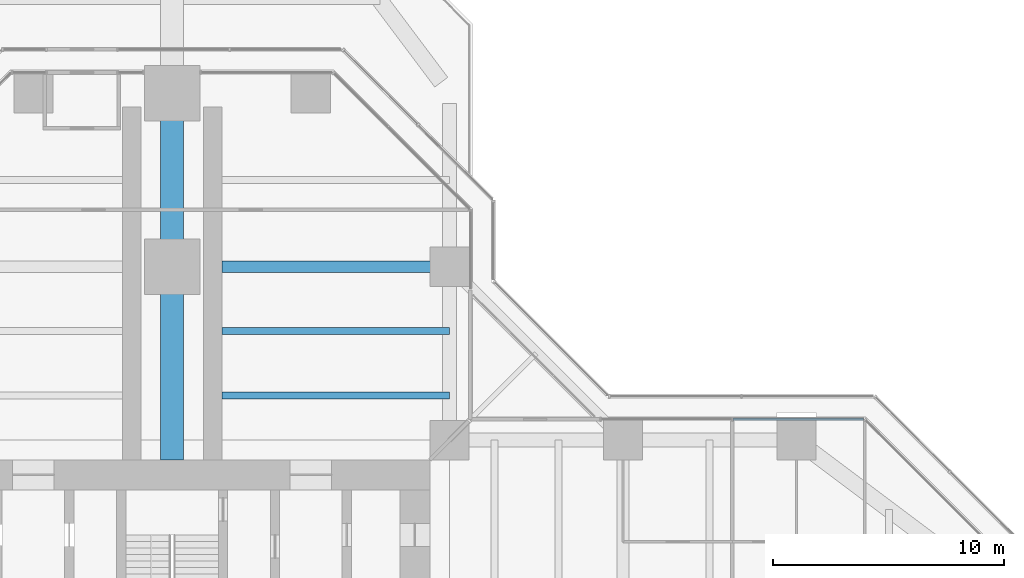
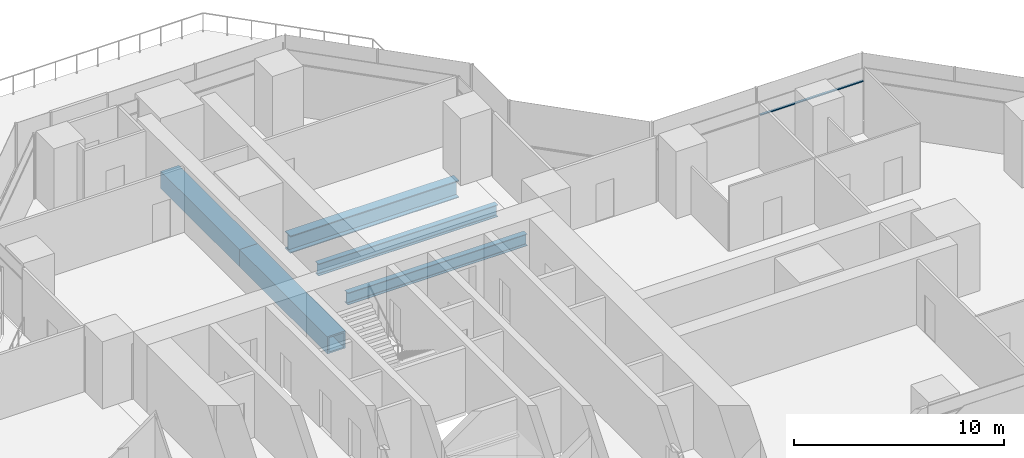
# One storey, part 10 of 21: 5 beams, 1 member, 1 element without a shape of its own.
"""IFC4 building model written with IfcOpenShell, lengths in metres."""

import ifcopenshell
import ifcopenshell.guid

model = None  # the IFC model being written
_history = None  # IfcOwnerHistory: only IFC2X3 demands one
_inside = {}  # id of a spatial element -> (the spatial element, [elements in it])
_under = {}  # id of a project, library or spatial element -> (it, [spatial elements below it])
_declared = {}  # id of a project -> (the project, [libraries it declares])
_typed = {}  # id of a type object -> (the type object, [elements of that type])
_made_of = {}  # id of a material, layer set ... -> (it, [elements and type objects made of it])


def new_model(schema):
    """Start an empty IFC model of exactly this schema.

    Asked for "IFC4X3", IfcOpenShell would pick the latest addendum, in which some entities
    have other attributes; the version numbers below select the first issue.
    IFC2X3 requires an IfcOwnerHistory on every rooted entity: one is made here for all.
    """
    global model, _history
    if schema == "IFC4X3":
        model = ifcopenshell.file(schema_version=(4, 3, 0, 0))
    else:
        model = ifcopenshell.file(schema=schema)
    _inside.clear()
    _under.clear()
    _declared.clear()
    _typed.clear()
    _made_of.clear()
    _history = None
    if model.schema == "IFC2X3":
        org = make("IfcOrganization", Name="unknown")
        user = make(
            "IfcPersonAndOrganization",
            ThePerson=make("IfcPerson", FamilyName="unknown"),
            TheOrganization=org,
        )
        app = make(
            "IfcApplication",
            ApplicationDeveloper=org,
            Version="unknown",
            ApplicationFullName="unknown",
            ApplicationIdentifier="unknown",
        )
        _history = make(
            "IfcOwnerHistory",
            OwningUser=user,
            OwningApplication=app,
            ChangeAction="ADDED",
            CreationDate=0,
        )
    return model


def make(cls, **values):
    """One entity of the class cls with the attributes given. An attribute that is None is left unset."""
    return model.create_entity(
        cls, **{name: value for name, value in values.items() if value is not None}
    )


def rooted(cls, **values):
    """An entity with a GlobalId (a new one), such as an element, a storey or a relation."""
    return make(cls, GlobalId=ifcopenshell.guid.new(), OwnerHistory=_history, **values)


def si_unit(unit_type, name, prefix=None):
    """IfcSIUnit, for example si_unit("LENGTHUNIT", "METRE", prefix="MILLI")."""
    return make("IfcSIUnit", UnitType=unit_type, Prefix=prefix, Name=name)


def assignment(units):
    """IfcUnitAssignment: the units of a project."""
    return None if units is None else make("IfcUnitAssignment", Units=units)


def point(xyz):
    """IfcCartesianPoint."""
    return None if xyz is None else make("IfcCartesianPoint", Coordinates=xyz)


def direction(xyz):
    """IfcDirection."""
    return None if xyz is None else make("IfcDirection", DirectionRatios=xyz)


def frame(location, z_axis=None, x_axis=None):
    """IfcAxis2Placement3D, a coordinate frame: its origin and axes. An axis left out is left unset."""
    return make(
        "IfcAxis2Placement3D",
        Location=point(location),
        Axis=direction(z_axis),
        RefDirection=direction(x_axis),
    )


def frame_2d(location, x_axis=None):
    """IfcAxis2Placement2D, a coordinate frame in the plane: its origin and x axis."""
    return make(
        "IfcAxis2Placement2D", Location=point(location), RefDirection=direction(x_axis)
    )


def origin():
    """The frame at (0, 0, 0) with its axes left unset."""
    return frame((0.0, 0.0, 0.0))


def origin_2d():
    """The frame at (0, 0) in the plane with its x axis left unset."""
    return frame_2d((0.0, 0.0))


def place(relative_to, where):
    """IfcLocalPlacement: puts the frame where relative to a parent placement (None: the world)."""
    return make(
        "IfcLocalPlacement", PlacementRelTo=relative_to, RelativePlacement=where
    )


def context(
    kind, dimensions, precision=None, world=None, true_north=None, identifier=None
):
    """IfcGeometricRepresentationContext, for example the 3D "Model" context."""
    return make(
        "IfcGeometricRepresentationContext",
        ContextIdentifier=identifier,
        ContextType=kind,
        CoordinateSpaceDimension=dimensions,
        Precision=precision,
        WorldCoordinateSystem=world,
        TrueNorth=true_north,
    )


def subcontext(parent, identifier, kind, view, scale=None):
    """IfcGeometricRepresentationSubContext, for example "Body" below "Model"."""
    return make(
        "IfcGeometricRepresentationSubContext",
        ContextIdentifier=identifier,
        ContextType=kind,
        ParentContext=parent,
        TargetScale=scale,
        TargetView=view,
    )


def project(units=None, contexts=None):
    """IfcProject with its units and contexts."""
    return rooted(
        "IfcProject",
        Name="project",
        RepresentationContexts=contexts,
        UnitsInContext=assignment(units),
    )


def spatial(cls, under=None, at=None, **own):
    """A site, building, storey or space (cls), placed at a placement, below another one or the project."""
    s = rooted(cls, ObjectPlacement=at, **own)
    if under is not None:
        _under.setdefault(under.id(), (under, []))[1].append(s)
    return s


def profile(cls, at=None, kind="AREA", **sizes):
    """A parametric profile (cls). Its sizes go by their IFC names, for example OverallWidth=200.0."""
    return make(cls, ProfileType=kind, Position=at, **sizes)


def rectangle(**sizes):
    """IfcRectangleProfileDef."""
    return profile("IfcRectangleProfileDef", **sizes)


def hollow_rectangle(**sizes):
    """IfcRectangleHollowProfileDef."""
    return profile("IfcRectangleHollowProfileDef", **sizes)


def i_section(**sizes):
    """IfcIShapeProfileDef."""
    return profile("IfcIShapeProfileDef", **sizes)


def extrude(swept, where, along, depth):
    """IfcExtrudedAreaSolid: the profile swept, set in the frame where, extruded along a direction by depth."""
    return make(
        "IfcExtrudedAreaSolid",
        SweptArea=swept,
        Position=where,
        ExtrudedDirection=direction(along),
        Depth=depth,
    )


def shape(context_of_items, identifier, shape_type, items):
    """IfcShapeRepresentation: the items that make up one representation, for example the "Body"."""
    return make(
        "IfcShapeRepresentation",
        ContextOfItems=context_of_items,
        RepresentationIdentifier=identifier,
        RepresentationType=shape_type,
        Items=items,
    )


def material(Name=None, Category=None):
    """IfcMaterial."""
    return make("IfcMaterial", Name=Name, Category=Category)


def material_profile(
    of_material, cross_section, Name=None, Category=None, Priority=None
):
    """IfcMaterialProfile: a cross section and its material."""
    return make(
        "IfcMaterialProfile",
        Name=Name,
        Material=of_material,
        Profile=cross_section,
        Priority=Priority,
        Category=Category,
    )


def profile_set(profiles, Name=None, composite=None):
    """IfcMaterialProfileSet."""
    return make(
        "IfcMaterialProfileSet",
        Name=Name,
        MaterialProfiles=profiles,
        CompositeProfile=composite,
    )


def made_of(thing, what):
    """Note that an element or type object is made of a material, layer set ...; save() writes the relation."""
    if what is not None:
        _made_of.setdefault(what.id(), (what, []))[1].append(thing)
    return thing


def type_object(cls, material=None, **own):
    """A type object (cls), such as IfcWallType, which elements share."""
    return made_of(rooted(cls, **own), material)


def element(
    cls,
    number,
    at=None,
    inside=None,
    cuts=None,
    type_object=None,
    material=None,
    context=None,
    identifier="Body",
    shape_type=None,
    held_by="IfcProductDefinitionShape",
    body=None,
    shapes=None,
    **own,
):
    """One element of the class cls, such as IfcWall. Its Tag is "e" and its number.

    at: its placement. inside: the storey or other place that contains it. cuts: it is an
    opening in that element (IfcRelVoidsElement). A single representation is given by context,
    identifier, shape_type and body (its items); several are given by shapes. held_by: the class
    of the entity that holds the representations. save() writes the other relations.
    """
    e = rooted(cls, Tag="e%d" % number, ObjectPlacement=at, **own)
    if body is not None:
        shapes = [shape(context, identifier, shape_type, body)]
    if shapes is not None:
        e.Representation = make(held_by, Representations=shapes)
    if inside is not None:
        _inside.setdefault(inside.id(), (inside, []))[1].append(e)
    if cuts is not None:
        rooted(
            "IfcRelVoidsElement", RelatingBuildingElement=cuts, RelatedOpeningElement=e
        )
    if type_object is not None:
        _typed.setdefault(type_object.id(), (type_object, []))[1].append(e)
    return made_of(e, material)


def aggregate(whole, parts):
    """IfcRelAggregates: a whole, such as a stair, and the parts it consists of."""
    return rooted("IfcRelAggregates", RelatingObject=whole, RelatedObjects=parts)


def save(model, path):
    """Write the relations noted so far, then the file.

    IfcRelAggregates (storeys below a building ...), IfcRelContainedInSpatialStructure (elements
    in a storey), IfcRelDefinesByType, IfcRelAssociatesMaterial and IfcRelDeclares: one each for
    every whole, place, type object, material and project.
    """
    for whole, parts in _under.values():
        aggregate(whole, parts)
    for where, things in _inside.values():
        rooted(
            "IfcRelContainedInSpatialStructure",
            RelatedElements=things,
            RelatingStructure=where,
        )
    for kind, things in _typed.values():
        rooted("IfcRelDefinesByType", RelatedObjects=things, RelatingType=kind)
    for what, things in _made_of.values():
        rooted("IfcRelAssociatesMaterial", RelatedObjects=things, RelatingMaterial=what)
    for by, libraries in _declared.values():
        rooted("IfcRelDeclares", RelatingContext=by, RelatedDefinitions=libraries)
    model.write(path)


model = new_model("IFC4")

# Units and contexts
model_context = context("Model", 3, precision=1e-05, world=origin(), true_north=direction((0.0, 1.0)))
body_context = subcontext(model_context, "Body", "Model", "MODEL_VIEW")
ifc_project = project(units=[si_unit("LENGTHUNIT", "METRE"), si_unit("AREAUNIT", "SQUARE_METRE"), si_unit("VOLUMEUNIT", "CUBIC_METRE"), si_unit("PLANEANGLEUNIT", "RADIAN"), si_unit("MASSUNIT", "GRAM", prefix="KILO")], contexts=[model_context])

# Site, building, storey
site_placement = place(None, origin())
site = spatial("IfcSite", under=ifc_project, at=site_placement, CompositionType="ELEMENT")
building_placement = place(site_placement, origin())
building = spatial("IfcBuilding", under=site, at=building_placement, Name="Mizan Broadcast Tower", CompositionType="ELEMENT")
storey_placement = place(building_placement, frame((0.0, 0.0, 124.199951171875)))
storey = spatial("IfcBuildingStorey", under=building, at=storey_placement, Name="L27", CompositionType="ELEMENT", Elevation=124.199951171875)

# Beam
ifc_material_1 = material(Name="Steel S460", Category="steel")
ifc_material_profile_1 = material_profile(ifc_material_1, i_section(OverallWidth=0.5, OverallDepth=1.0, WebThickness=0.02490234375, FlangeThickness=0.050048828125, at=origin_2d()), Name="WPG 1000x500")
ifc_profile_set_1 = profile_set([ifc_material_profile_1], Name="Steel S460")
beam_type_1 = type_object("IfcBeamType", Name="GIRDER WPG 1000x500", PredefinedType="BEAM", material=ifc_profile_set_1)
beam_1_placement = place(storey_placement, frame((11.408935546875, 19.5, -0.6298828125), z_axis=(-1.0, 0.0, 0.0), x_axis=(0.0, -1.0, 0.0)))
element("IfcBeam", 1, at=beam_1_placement, inside=storey, type_object=beam_type_1, Name="Girder WPG 1000x500 L27 north arm", PredefinedType="BEAM", context=body_context, shape_type="SweptSolid", body=[
    extrude(i_section(OverallWidth=0.5, OverallDepth=1.0, WebThickness=0.02490234375, FlangeThickness=0.050048828125, at=origin_2d()), origin(), (0.0, 0.0, 1.0), 9.259033203125),
])

# Curtain wall, member
ifc_material_2 = material(Name="Aluminium framed glazing", Category="aluminium")
curtain_wall_type = type_object("IfcCurtainWallType", Name="INNER SKIN MID ZONE", PredefinedType="USERDEFINED", material=ifc_material_2)
curtain_wall_placement = place(storey_placement, origin())
curtain_wall = element("IfcCurtainWall", 2, at=curtain_wall_placement, inside=storey, type_object=curtain_wall_type, Name="Inner skin mid zone L27 E side", ObjectType="INNER SKIN MID ZONE", PredefinedType="USERDEFINED")
ifc_material_3 = material(Name="Aluminium, pale anodised", Category="aluminium")
ifc_material_profile_2 = material_profile(ifc_material_3, rectangle(XDim=0.1201171875, YDim=0.06005859375, at=origin_2d()), Name="TRANSOM 120x60")
ifc_profile_set_2 = profile_set([ifc_material_profile_2], Name="Aluminium, pale anodised")
member_type = type_object("IfcMemberType", Name="INNER SKIN TRANSOM 60x120", PredefinedType="USERDEFINED", material=ifc_profile_set_2)
member_placement = place(storey_placement, frame((29.898681640625, 12.89990234375, 3.030029296875), z_axis=(-1.0, 0.0, 0.0), x_axis=(0.0, -1.0, 0.0)))
member = element("IfcMember", 3, at=member_placement, type_object=member_type, Name="Inner skin mid zone L27 E side transom 1.1", ObjectType="TRANSOM", PredefinedType="USERDEFINED", context=body_context, shape_type="SweptSolid", body=[
    extrude(rectangle(XDim=0.1201171875, YDim=0.06005859375, at=origin_2d()), origin(), (0.0, 0.0, 1.0), 5.639404296875),
])
aggregate(curtain_wall, [member])

# Beams
ifc_material_4 = material(Name="Steel S460", Category="steel")
ifc_material_profile_3 = material_profile(ifc_material_4, hollow_rectangle(XDim=1.0, YDim=1.0, WallThickness=0.080078125, at=origin_2d()), Name="BOX 1000x1000x80")
ifc_profile_set_3 = profile_set([ifc_material_profile_3], Name="Steel S460")
beam_type_2 = type_object("IfcBeamType", Name="OUTRIGGER TRUSS OT2 CHORD BOX 1000x1000x80", PredefinedType="BEAM", material=ifc_profile_set_3)
beam_2_placement = place(storey_placement, frame((0.0, 11.14990234375, -0.6298828125), z_axis=(0.0, 1.0, 0.0), x_axis=(-1.0, 0.0, 0.0)))
element("IfcBeam", 4, at=beam_2_placement, inside=storey, type_object=beam_type_2, Name="Outrigger truss OT2-N top chord 1", PredefinedType="BEAM", context=body_context, shape_type="SweptSolid", body=[
    extrude(hollow_rectangle(XDim=1.0, YDim=1.0, WallThickness=0.080078125, at=origin_2d()), origin(), (0.0, 0.0, 1.0), 8.35009765625),
])
beam_3_placement = place(storey_placement, frame((0.0, 19.5, -0.6298828125), z_axis=(0.0, 1.0, 0.0), x_axis=(-1.0, 0.0, 0.0)))
element("IfcBeam", 5, at=beam_3_placement, inside=storey, type_object=beam_type_2, Name="Outrigger truss OT2-N top chord 2", PredefinedType="BEAM", context=body_context, shape_type="SweptSolid", body=[
    extrude(hollow_rectangle(XDim=1.0, YDim=1.0, WallThickness=0.080078125, at=origin_2d()), origin(), (0.0, 0.0, 1.0), 7.5),
])
ifc_material_5 = material(Name="Steel S355", Category="steel")
ifc_material_profile_4 = material_profile(ifc_material_5, i_section(OverallWidth=0.300048828125, OverallDepth=0.68994140625, WebThickness=0.014404296875, FlangeThickness=0.027099609375, FilletRadius=0.027099609375, at=origin_2d()), Name="HEA 700")
ifc_profile_set_4 = profile_set([ifc_material_profile_4], Name="Steel S355")
beam_type_3 = type_object("IfcBeamType", Name="SECONDARY BEAM HEA 700", PredefinedType="JOIST", material=ifc_profile_set_4)
for number, where, z_axis, x_axis, name in (
    (6, (12.0, 13.933349609375, -0.474853515625), (-1.0, 0.0, 0.0), (0.0, -1.0, 0.0), "Secondary beam HEA 700 L27 north arm"),
    (7, (12.0, 16.716552734375, -0.474853515625), (-1.0, 0.0, 0.0), (0.0, -1.0, 0.0), "Secondary beam HEA 700 L27 north arm"),
):
    element("IfcBeam", number, at=place(storey_placement, frame(where, z_axis=z_axis, x_axis=x_axis)), inside=storey, type_object=beam_type_3, Name=name, PredefinedType="JOIST", context=body_context, shape_type="SweptSolid", body=[
        extrude(i_section(OverallWidth=0.300048828125, OverallDepth=0.68994140625, WebThickness=0.014404296875, FlangeThickness=0.027099609375, FilletRadius=0.027099609375, at=origin_2d()), origin(), (0.0, 0.0, 1.0), 9.85009765625),
    ])

save(model, "model.ifc")
